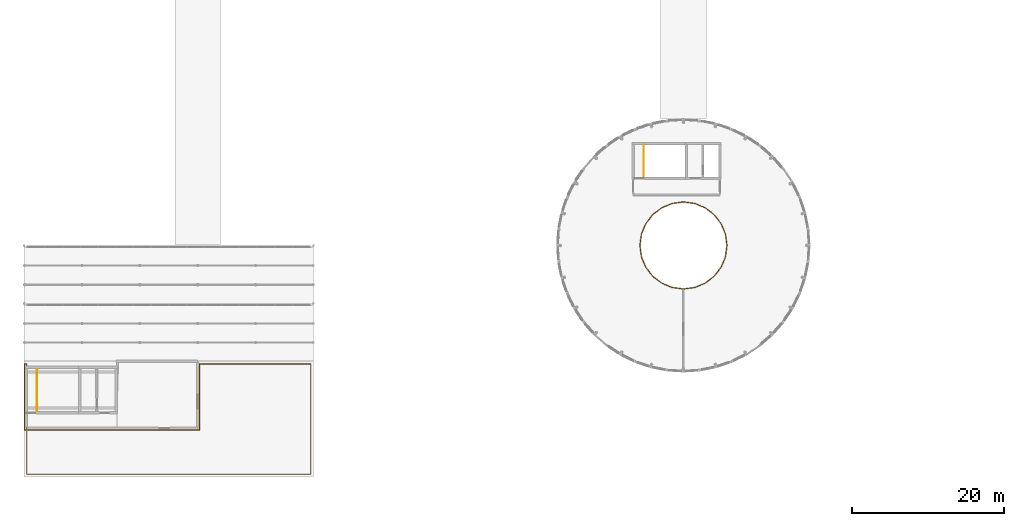
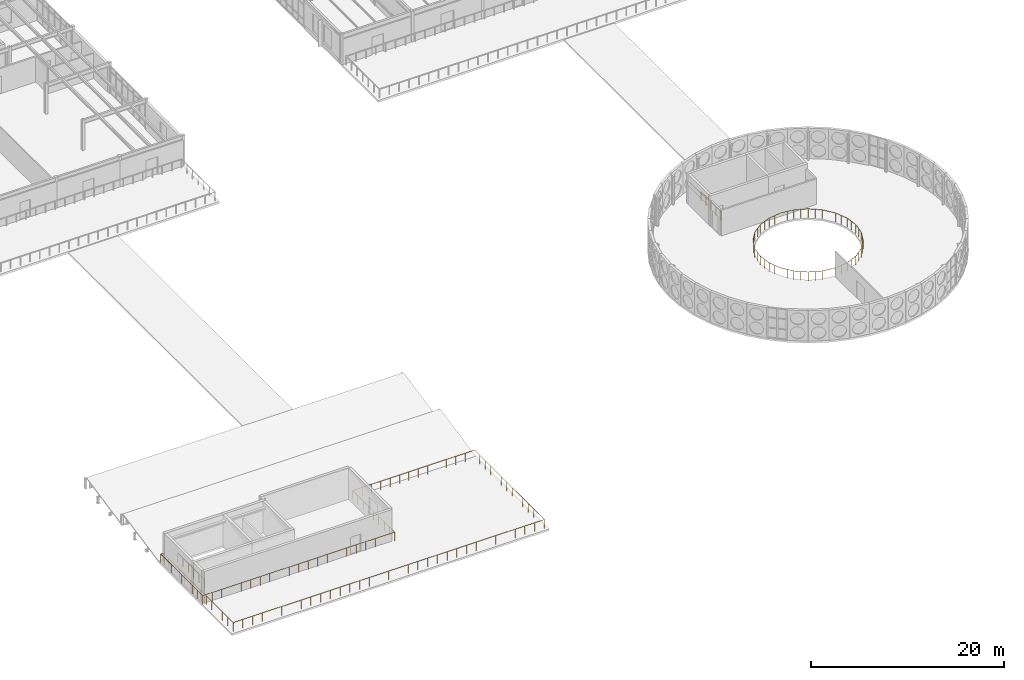
# One storey, part 103 of 114: 4 railings.
"""IFC4 building model written with IfcOpenShell, lengths in metres."""

from ifc_helpers import new_model, si_unit, direction, frame, origin, origin_2d, place, context, subcontext, project, spatial, circle, extrude, material, type_object, element, save


model = new_model("IFC4")

# Units and contexts
model_context = context("Model", 3, precision=1e-05, world=origin(), true_north=direction((0.0, 1.0)))
body_context = subcontext(model_context, "Body", "Model", "MODEL_VIEW")
ifc_project = project(units=[si_unit("LENGTHUNIT", "METRE"), si_unit("AREAUNIT", "SQUARE_METRE"), si_unit("VOLUMEUNIT", "CUBIC_METRE"), si_unit("PLANEANGLEUNIT", "RADIAN"), si_unit("MASSUNIT", "GRAM", prefix="KILO")], contexts=[model_context])

# Site, building, storey
site_placement = place(None, origin())
site = spatial("IfcSite", under=ifc_project, at=site_placement, CompositionType="ELEMENT")
building_placement = place(site_placement, origin())
building = spatial("IfcBuilding", under=site, at=building_placement, Name="Montecoro Central Library", CompositionType="ELEMENT")
storey_placement = place(building_placement, frame((0.0, 0.0, 13.260009765625)))
storey = spatial("IfcBuildingStorey", under=building, at=storey_placement, Name="L03", CompositionType="ELEMENT", Elevation=13.260009765625)

# Railings
ifc_material_1 = material(Name="Architectural bronze and laminated safety balustrade", Category="aluminium")
railing_type_1 = type_object("IfcRailingType", Name="GRD-EXT-110", PredefinedType="GUARDRAIL", material=ifc_material_1)
railing_1_placement = place(storey_placement, frame((6.679931640625, 13.64990234375, 0.0)))
element("IfcRailing", 1, at=railing_1_placement, inside=storey, type_object=railing_type_1, Name="V3-L03-HH-GRD", PredefinedType="GUARDRAIL", context=body_context, shape_type="SweptSolid", body=[
    extrude(circle(Radius=0.02392578125, at=origin_2d()), frame((0.0, 0.0, 1.09619140625), z_axis=(0.0, 1.0, 0.0), x_axis=(-1.0, 0.0, 0.0)), (0.0, 0.0, 1.0), 5.5),
    extrude(circle(Radius=0.02099609375, at=origin_2d()), origin(), (0.0, 0.0, 1.0), 1.072021484375),
    extrude(circle(Radius=0.02099609375, at=origin_2d()), frame((0.0, 1.10009765625, 0.0)), (0.0, 0.0, 1.0), 1.072021484375),
    extrude(circle(Radius=0.02099609375, at=origin_2d()), frame((0.0, 2.199951171875, 0.0)), (0.0, 0.0, 1.0), 1.072021484375),
    extrude(circle(Radius=0.02099609375, at=origin_2d()), frame((0.0, 3.300048828125, 0.0)), (0.0, 0.0, 1.0), 1.072021484375),
    extrude(circle(Radius=0.02099609375, at=origin_2d()), frame((0.0, 4.39990234375, 0.0)), (0.0, 0.0, 1.0), 1.072021484375),
    extrude(circle(Radius=0.02099609375, at=origin_2d()), frame((0.0, 5.5, 0.0)), (0.0, 0.0, 1.0), 1.072021484375),
])
railing_2_placement = place(storey_placement, frame((5.35009765625, 5.35009765625, 0.0)))
element("IfcRailing", 2, at=railing_2_placement, inside=storey, type_object=railing_type_1, Name="V3-L03-TGRD-1", PredefinedType="GUARDRAIL", context=body_context, shape_type="SweptSolid", body=[
    extrude(circle(Radius=0.02392578125, at=origin_2d()), frame((0.0, 0.0, 1.09619140625), z_axis=(1.0, 0.0, 0.0), x_axis=(0.0, 1.0, 0.0)), (0.0, 0.0, 1.0), 37.2998046875),
    extrude(circle(Radius=0.02392578125, at=origin_2d()), frame((37.2998046875, 0.0, 1.09619140625), z_axis=(0.0, 1.0, 0.0), x_axis=(-1.0, 0.0, 0.0)), (0.0, 0.0, 1.0), 14.5),
    extrude(circle(Radius=0.02392578125, at=origin_2d()), frame((37.2998046875, 14.5, 1.09619140625), z_axis=(-1.0, 0.0, 0.0), x_axis=(0.0, -1.0, 0.0)), (0.0, 0.0, 1.0), 14.599853515625),
    extrude(circle(Radius=0.02392578125, at=origin_2d()), frame((22.699951171875, 14.5, 1.09619140625), z_axis=(0.0, -1.0, 0.0), x_axis=(1.0, 0.0, 0.0)), (0.0, 0.0, 1.0), 8.7001953125),
    extrude(circle(Radius=0.02392578125, at=origin_2d()), frame((22.699951171875, 5.7998046875, 1.09619140625), z_axis=(-1.0, 0.0, 0.0), x_axis=(0.0, -1.0, 0.0)), (0.0, 0.0, 1.0), 23.0),
    extrude(circle(Radius=0.02392578125, at=origin_2d()), frame((-0.300048828125, 5.7998046875, 1.09619140625), z_axis=(0.0, 1.0, 0.0), x_axis=(-1.0, 0.0, 0.0)), (0.0, 0.0, 1.0), 8.7001953125),
    extrude(circle(Radius=0.02392578125, at=origin_2d()), frame((-0.300048828125, 14.5, 1.09619140625), z_axis=(1.0, 0.0, 0.0), x_axis=(0.0, 1.0, 0.0)), (0.0, 0.0, 1.0), 0.300048828125),
    extrude(circle(Radius=0.02392578125, at=origin_2d()), frame((0.0, 14.5, 1.09619140625), z_axis=(0.0, -1.0, 0.0), x_axis=(1.0, 0.0, 0.0)), (0.0, 0.0, 1.0), 14.5),
    extrude(circle(Radius=0.02099609375, at=origin_2d()), origin(), (0.0, 0.0, 1.0), 1.072021484375),
    extrude(circle(Radius=0.02099609375, at=origin_2d()), frame((1.16552734375, 0.0, 0.0)), (0.0, 0.0, 1.0), 1.072021484375),
    extrude(circle(Radius=0.02099609375, at=origin_2d()), frame((2.331298828125, 0.0, 0.0)), (0.0, 0.0, 1.0), 1.072021484375),
    extrude(circle(Radius=0.02099609375, at=origin_2d()), frame((3.496826171875, 0.0, 0.0)), (0.0, 0.0, 1.0), 1.072021484375),
    extrude(circle(Radius=0.02099609375, at=origin_2d()), frame((4.66259765625, 0.0, 0.0)), (0.0, 0.0, 1.0), 1.072021484375),
    extrude(circle(Radius=0.02099609375, at=origin_2d()), frame((5.828125, 0.0, 0.0)), (0.0, 0.0, 1.0), 1.072021484375),
    extrude(circle(Radius=0.02099609375, at=origin_2d()), frame((6.99365234375, 0.0, 0.0)), (0.0, 0.0, 1.0), 1.072021484375),
    extrude(circle(Radius=0.02099609375, at=origin_2d()), frame((8.159423828125, 0.0, 0.0)), (0.0, 0.0, 1.0), 1.072021484375),
    extrude(circle(Radius=0.02099609375, at=origin_2d()), frame((9.324951171875, 0.0, 0.0)), (0.0, 0.0, 1.0), 1.072021484375),
    extrude(circle(Radius=0.02099609375, at=origin_2d()), frame((10.490478515625, 0.0, 0.0)), (0.0, 0.0, 1.0), 1.072021484375),
    extrude(circle(Radius=0.02099609375, at=origin_2d()), frame((11.65625, 0.0, 0.0)), (0.0, 0.0, 1.0), 1.072021484375),
    extrude(circle(Radius=0.02099609375, at=origin_2d()), frame((12.82177734375, 0.0, 0.0)), (0.0, 0.0, 1.0), 1.072021484375),
    extrude(circle(Radius=0.02099609375, at=origin_2d()), frame((13.9873046875, 0.0, 0.0)), (0.0, 0.0, 1.0), 1.072021484375),
    extrude(circle(Radius=0.02099609375, at=origin_2d()), frame((15.153076171875, 0.0, 0.0)), (0.0, 0.0, 1.0), 1.072021484375),
    extrude(circle(Radius=0.02099609375, at=origin_2d()), frame((16.318603515625, 0.0, 0.0)), (0.0, 0.0, 1.0), 1.072021484375),
    extrude(circle(Radius=0.02099609375, at=origin_2d()), frame((17.484375, 0.0, 0.0)), (0.0, 0.0, 1.0), 1.072021484375),
    extrude(circle(Radius=0.02099609375, at=origin_2d()), frame((18.64990234375, 0.0, 0.0)), (0.0, 0.0, 1.0), 1.072021484375),
    extrude(circle(Radius=0.02099609375, at=origin_2d()), frame((19.8154296875, 0.0, 0.0)), (0.0, 0.0, 1.0), 1.072021484375),
    extrude(circle(Radius=0.02099609375, at=origin_2d()), frame((20.981201171875, 0.0, 0.0)), (0.0, 0.0, 1.0), 1.072021484375),
    extrude(circle(Radius=0.02099609375, at=origin_2d()), frame((22.146728515625, 0.0, 0.0)), (0.0, 0.0, 1.0), 1.072021484375),
    extrude(circle(Radius=0.02099609375, at=origin_2d()), frame((23.3125, 0.0, 0.0)), (0.0, 0.0, 1.0), 1.072021484375),
    extrude(circle(Radius=0.02099609375, at=origin_2d()), frame((24.47802734375, 0.0, 0.0)), (0.0, 0.0, 1.0), 1.072021484375),
    extrude(circle(Radius=0.02099609375, at=origin_2d()), frame((25.6435546875, 0.0, 0.0)), (0.0, 0.0, 1.0), 1.072021484375),
    extrude(circle(Radius=0.02099609375, at=origin_2d()), frame((26.809326171875, 0.0, 0.0)), (0.0, 0.0, 1.0), 1.072021484375),
    extrude(circle(Radius=0.02099609375, at=origin_2d()), frame((27.974853515625, 0.0, 0.0)), (0.0, 0.0, 1.0), 1.072021484375),
    extrude(circle(Radius=0.02099609375, at=origin_2d()), frame((29.140380859375, 0.0, 0.0)), (0.0, 0.0, 1.0), 1.072021484375),
    extrude(circle(Radius=0.02099609375, at=origin_2d()), frame((30.30615234375, 0.0, 0.0)), (0.0, 0.0, 1.0), 1.072021484375),
    extrude(circle(Radius=0.02099609375, at=origin_2d()), frame((31.4716796875, 0.0, 0.0)), (0.0, 0.0, 1.0), 1.072021484375),
    extrude(circle(Radius=0.02099609375, at=origin_2d()), frame((32.63720703125, 0.0, 0.0)), (0.0, 0.0, 1.0), 1.072021484375),
    extrude(circle(Radius=0.02099609375, at=origin_2d()), frame((33.802978515625, 0.0, 0.0)), (0.0, 0.0, 1.0), 1.072021484375),
    extrude(circle(Radius=0.02099609375, at=origin_2d()), frame((34.968505859375, 0.0, 0.0)), (0.0, 0.0, 1.0), 1.072021484375),
    extrude(circle(Radius=0.02099609375, at=origin_2d()), frame((36.13427734375, 0.0, 0.0)), (0.0, 0.0, 1.0), 1.072021484375),
    extrude(circle(Radius=0.02099609375, at=origin_2d()), frame((37.2998046875, 0.0, 0.0)), (0.0, 0.0, 1.0), 1.072021484375),
    extrude(circle(Radius=0.02099609375, at=origin_2d()), frame((37.2998046875, 1.115478515625, 0.0)), (0.0, 0.0, 1.0), 1.072021484375),
    extrude(circle(Radius=0.02099609375, at=origin_2d()), frame((37.2998046875, 2.230712890625, 0.0)), (0.0, 0.0, 1.0), 1.072021484375),
    extrude(circle(Radius=0.02099609375, at=origin_2d()), frame((37.2998046875, 3.34619140625, 0.0)), (0.0, 0.0, 1.0), 1.072021484375),
    extrude(circle(Radius=0.02099609375, at=origin_2d()), frame((37.2998046875, 4.46142578125, 0.0)), (0.0, 0.0, 1.0), 1.072021484375),
    extrude(circle(Radius=0.02099609375, at=origin_2d()), frame((37.2998046875, 5.576904296875, 0.0)), (0.0, 0.0, 1.0), 1.072021484375),
    extrude(circle(Radius=0.02099609375, at=origin_2d()), frame((37.2998046875, 6.6923828125, 0.0)), (0.0, 0.0, 1.0), 1.072021484375),
    extrude(circle(Radius=0.02099609375, at=origin_2d()), frame((37.2998046875, 7.8076171875, 0.0)), (0.0, 0.0, 1.0), 1.072021484375),
    extrude(circle(Radius=0.02099609375, at=origin_2d()), frame((37.2998046875, 8.923095703125, 0.0)), (0.0, 0.0, 1.0), 1.072021484375),
    extrude(circle(Radius=0.02099609375, at=origin_2d()), frame((37.2998046875, 10.03857421875, 0.0)), (0.0, 0.0, 1.0), 1.072021484375),
    extrude(circle(Radius=0.02099609375, at=origin_2d()), frame((37.2998046875, 11.15380859375, 0.0)), (0.0, 0.0, 1.0), 1.072021484375),
    extrude(circle(Radius=0.02099609375, at=origin_2d()), frame((37.2998046875, 12.269287109375, 0.0)), (0.0, 0.0, 1.0), 1.072021484375),
    extrude(circle(Radius=0.02099609375, at=origin_2d()), frame((37.2998046875, 13.384521484375, 0.0)), (0.0, 0.0, 1.0), 1.072021484375),
    extrude(circle(Radius=0.02099609375, at=origin_2d()), frame((37.2998046875, 14.5, 0.0)), (0.0, 0.0, 1.0), 1.072021484375),
    extrude(circle(Radius=0.02099609375, at=origin_2d()), frame((36.1767578125, 14.5, 0.0)), (0.0, 0.0, 1.0), 1.072021484375),
    extrude(circle(Radius=0.02099609375, at=origin_2d()), frame((35.0537109375, 14.5, 0.0)), (0.0, 0.0, 1.0), 1.072021484375),
    extrude(circle(Radius=0.02099609375, at=origin_2d()), frame((33.9306640625, 14.5, 0.0)), (0.0, 0.0, 1.0), 1.072021484375),
    extrude(circle(Radius=0.02099609375, at=origin_2d()), frame((32.8076171875, 14.5, 0.0)), (0.0, 0.0, 1.0), 1.072021484375),
    extrude(circle(Radius=0.02099609375, at=origin_2d()), frame((31.6845703125, 14.5, 0.0)), (0.0, 0.0, 1.0), 1.072021484375),
    extrude(circle(Radius=0.02099609375, at=origin_2d()), frame((30.5615234375, 14.5, 0.0)), (0.0, 0.0, 1.0), 1.072021484375),
    extrude(circle(Radius=0.02099609375, at=origin_2d()), frame((29.438232421875, 14.5, 0.0)), (0.0, 0.0, 1.0), 1.072021484375),
    extrude(circle(Radius=0.02099609375, at=origin_2d()), frame((28.315185546875, 14.5, 0.0)), (0.0, 0.0, 1.0), 1.072021484375),
    extrude(circle(Radius=0.02099609375, at=origin_2d()), frame((27.192138671875, 14.5, 0.0)), (0.0, 0.0, 1.0), 1.072021484375),
    extrude(circle(Radius=0.02099609375, at=origin_2d()), frame((26.069091796875, 14.5, 0.0)), (0.0, 0.0, 1.0), 1.072021484375),
    extrude(circle(Radius=0.02099609375, at=origin_2d()), frame((24.946044921875, 14.5, 0.0)), (0.0, 0.0, 1.0), 1.072021484375),
    extrude(circle(Radius=0.02099609375, at=origin_2d()), frame((23.822998046875, 14.5, 0.0)), (0.0, 0.0, 1.0), 1.072021484375),
    extrude(circle(Radius=0.02099609375, at=origin_2d()), frame((22.699951171875, 14.5, 0.0)), (0.0, 0.0, 1.0), 1.072021484375),
    extrude(circle(Radius=0.02099609375, at=origin_2d()), frame((22.699951171875, 13.41259765625, 0.0)), (0.0, 0.0, 1.0), 1.072021484375),
    extrude(circle(Radius=0.02099609375, at=origin_2d()), frame((22.699951171875, 12.324951171875, 0.0)), (0.0, 0.0, 1.0), 1.072021484375),
    extrude(circle(Radius=0.02099609375, at=origin_2d()), frame((22.699951171875, 11.2373046875, 0.0)), (0.0, 0.0, 1.0), 1.072021484375),
    extrude(circle(Radius=0.02099609375, at=origin_2d()), frame((22.699951171875, 10.14990234375, 0.0)), (0.0, 0.0, 1.0), 1.072021484375),
    extrude(circle(Radius=0.02099609375, at=origin_2d()), frame((22.699951171875, 9.0625, 0.0)), (0.0, 0.0, 1.0), 1.072021484375),
    extrude(circle(Radius=0.02099609375, at=origin_2d()), frame((22.699951171875, 7.974853515625, 0.0)), (0.0, 0.0, 1.0), 1.072021484375),
    extrude(circle(Radius=0.02099609375, at=origin_2d()), frame((22.699951171875, 6.88720703125, 0.0)), (0.0, 0.0, 1.0), 1.072021484375),
    extrude(circle(Radius=0.02099609375, at=origin_2d()), frame((22.699951171875, 5.7998046875, 0.0)), (0.0, 0.0, 1.0), 1.072021484375),
    extrude(circle(Radius=0.02099609375, at=origin_2d()), frame((21.550048828125, 5.7998046875, 0.0)), (0.0, 0.0, 1.0), 1.072021484375),
    extrude(circle(Radius=0.02099609375, at=origin_2d()), frame((20.39990234375, 5.7998046875, 0.0)), (0.0, 0.0, 1.0), 1.072021484375),
    extrude(circle(Radius=0.02099609375, at=origin_2d()), frame((19.25, 5.7998046875, 0.0)), (0.0, 0.0, 1.0), 1.072021484375),
    extrude(circle(Radius=0.02099609375, at=origin_2d()), frame((18.099853515625, 5.7998046875, 0.0)), (0.0, 0.0, 1.0), 1.072021484375),
    extrude(circle(Radius=0.02099609375, at=origin_2d()), frame((16.949951171875, 5.7998046875, 0.0)), (0.0, 0.0, 1.0), 1.072021484375),
    extrude(circle(Radius=0.02099609375, at=origin_2d()), frame((15.800048828125, 5.7998046875, 0.0)), (0.0, 0.0, 1.0), 1.072021484375),
    extrude(circle(Radius=0.02099609375, at=origin_2d()), frame((14.64990234375, 5.7998046875, 0.0)), (0.0, 0.0, 1.0), 1.072021484375),
    extrude(circle(Radius=0.02099609375, at=origin_2d()), frame((13.5, 5.7998046875, 0.0)), (0.0, 0.0, 1.0), 1.072021484375),
    extrude(circle(Radius=0.02099609375, at=origin_2d()), frame((12.349853515625, 5.7998046875, 0.0)), (0.0, 0.0, 1.0), 1.072021484375),
    extrude(circle(Radius=0.02099609375, at=origin_2d()), frame((11.199951171875, 5.7998046875, 0.0)), (0.0, 0.0, 1.0), 1.072021484375),
    extrude(circle(Radius=0.02099609375, at=origin_2d()), frame((10.050048828125, 5.7998046875, 0.0)), (0.0, 0.0, 1.0), 1.072021484375),
    extrude(circle(Radius=0.02099609375, at=origin_2d()), frame((8.89990234375, 5.7998046875, 0.0)), (0.0, 0.0, 1.0), 1.072021484375),
    extrude(circle(Radius=0.02099609375, at=origin_2d()), frame((7.75, 5.7998046875, 0.0)), (0.0, 0.0, 1.0), 1.072021484375),
    extrude(circle(Radius=0.02099609375, at=origin_2d()), frame((6.599853515625, 5.7998046875, 0.0)), (0.0, 0.0, 1.0), 1.072021484375),
    extrude(circle(Radius=0.02099609375, at=origin_2d()), frame((5.449951171875, 5.7998046875, 0.0)), (0.0, 0.0, 1.0), 1.072021484375),
    extrude(circle(Radius=0.02099609375, at=origin_2d()), frame((4.300048828125, 5.7998046875, 0.0)), (0.0, 0.0, 1.0), 1.072021484375),
    extrude(circle(Radius=0.02099609375, at=origin_2d()), frame((3.14990234375, 5.7998046875, 0.0)), (0.0, 0.0, 1.0), 1.072021484375),
    extrude(circle(Radius=0.02099609375, at=origin_2d()), frame((2.0, 5.7998046875, 0.0)), (0.0, 0.0, 1.0), 1.072021484375),
    extrude(circle(Radius=0.02099609375, at=origin_2d()), frame((0.849853515625, 5.7998046875, 0.0)), (0.0, 0.0, 1.0), 1.072021484375),
    extrude(circle(Radius=0.02099609375, at=origin_2d()), frame((-0.300048828125, 5.7998046875, 0.0)), (0.0, 0.0, 1.0), 1.072021484375),
    extrude(circle(Radius=0.02099609375, at=origin_2d()), frame((-0.300048828125, 6.88720703125, 0.0)), (0.0, 0.0, 1.0), 1.072021484375),
    extrude(circle(Radius=0.02099609375, at=origin_2d()), frame((-0.300048828125, 7.974853515625, 0.0)), (0.0, 0.0, 1.0), 1.072021484375),
    extrude(circle(Radius=0.02099609375, at=origin_2d()), frame((-0.300048828125, 9.0625, 0.0)), (0.0, 0.0, 1.0), 1.072021484375),
    extrude(circle(Radius=0.02099609375, at=origin_2d()), frame((-0.300048828125, 10.14990234375, 0.0)), (0.0, 0.0, 1.0), 1.072021484375),
    extrude(circle(Radius=0.02099609375, at=origin_2d()), frame((-0.300048828125, 11.2373046875, 0.0)), (0.0, 0.0, 1.0), 1.072021484375),
    extrude(circle(Radius=0.02099609375, at=origin_2d()), frame((-0.300048828125, 12.324951171875, 0.0)), (0.0, 0.0, 1.0), 1.072021484375),
    extrude(circle(Radius=0.02099609375, at=origin_2d()), frame((-0.300048828125, 13.41259765625, 0.0)), (0.0, 0.0, 1.0), 1.072021484375),
    extrude(circle(Radius=0.02099609375, at=origin_2d()), frame((-0.300048828125, 14.5, 0.0)), (0.0, 0.0, 1.0), 1.072021484375),
    extrude(circle(Radius=0.02099609375, at=origin_2d()), frame((0.0, 14.5, 0.0)), (0.0, 0.0, 1.0), 1.072021484375),
    extrude(circle(Radius=0.02099609375, at=origin_2d()), frame((0.0, 13.384521484375, 0.0)), (0.0, 0.0, 1.0), 1.072021484375),
    extrude(circle(Radius=0.02099609375, at=origin_2d()), frame((0.0, 12.269287109375, 0.0)), (0.0, 0.0, 1.0), 1.072021484375),
    extrude(circle(Radius=0.02099609375, at=origin_2d()), frame((0.0, 11.15380859375, 0.0)), (0.0, 0.0, 1.0), 1.072021484375),
    extrude(circle(Radius=0.02099609375, at=origin_2d()), frame((0.0, 10.03857421875, 0.0)), (0.0, 0.0, 1.0), 1.072021484375),
    extrude(circle(Radius=0.02099609375, at=origin_2d()), frame((0.0, 8.923095703125, 0.0)), (0.0, 0.0, 1.0), 1.072021484375),
    extrude(circle(Radius=0.02099609375, at=origin_2d()), frame((0.0, 7.8076171875, 0.0)), (0.0, 0.0, 1.0), 1.072021484375),
    extrude(circle(Radius=0.02099609375, at=origin_2d()), frame((0.0, 6.6923828125, 0.0)), (0.0, 0.0, 1.0), 1.072021484375),
    extrude(circle(Radius=0.02099609375, at=origin_2d()), frame((0.0, 5.576904296875, 0.0)), (0.0, 0.0, 1.0), 1.072021484375),
    extrude(circle(Radius=0.02099609375, at=origin_2d()), frame((0.0, 4.46142578125, 0.0)), (0.0, 0.0, 1.0), 1.072021484375),
    extrude(circle(Radius=0.02099609375, at=origin_2d()), frame((0.0, 3.34619140625, 0.0)), (0.0, 0.0, 1.0), 1.072021484375),
    extrude(circle(Radius=0.02099609375, at=origin_2d()), frame((0.0, 2.230712890625, 0.0)), (0.0, 0.0, 1.0), 1.072021484375),
    extrude(circle(Radius=0.02099609375, at=origin_2d()), frame((0.0, 1.115478515625, 0.0)), (0.0, 0.0, 1.0), 1.072021484375),
])
ifc_material_2 = material(Name="Brushed stainless steel and bronze balustrade", Category="steel")
railing_type_2 = type_object("IfcRailingType", Name="GRD-INT-110", PredefinedType="GUARDRAIL", material=ifc_material_2)
railing_3_placement = place(storey_placement, frame((86.3798828125, 44.419921875, 0.0)))
element("IfcRailing", 3, at=railing_3_placement, inside=storey, type_object=railing_type_2, Name="C1-L03-ELND-GRD", PredefinedType="GUARDRAIL", context=body_context, shape_type="SweptSolid", body=[
    extrude(circle(Radius=0.02392578125, at=origin_2d()), frame((0.0, 0.0, 1.09619140625), z_axis=(0.0, 1.0, 0.0), x_axis=(-1.0, 0.0, 0.0)), (0.0, 0.0, 1.0), 4.16015625),
    extrude(circle(Radius=0.02099609375, at=origin_2d()), origin(), (0.0, 0.0, 1.0), 1.072021484375),
    extrude(circle(Radius=0.02099609375, at=origin_2d()), frame((0.0, 1.0400390625, 0.0)), (0.0, 0.0, 1.0), 1.072021484375),
    extrude(circle(Radius=0.02099609375, at=origin_2d()), frame((0.0, 2.080078125, 0.0)), (0.0, 0.0, 1.0), 1.072021484375),
    extrude(circle(Radius=0.02099609375, at=origin_2d()), frame((0.0, 3.1201171875, 0.0)), (0.0, 0.0, 1.0), 1.072021484375),
    extrude(circle(Radius=0.02099609375, at=origin_2d()), frame((0.0, 4.16015625, 0.0)), (0.0, 0.0, 1.0), 1.072021484375),
])
railing_4_placement = place(storey_placement, frame((97.320068359375, 35.39990234375, 0.0)))
element("IfcRailing", 4, at=railing_4_placement, inside=storey, type_object=railing_type_2, Name="V1-L03-WELL-GRD", PredefinedType="GUARDRAIL", context=body_context, shape_type="SweptSolid", body=[
    extrude(circle(Radius=0.02392578125, at=origin_2d()), frame((0.0, 0.0, 1.09619140625), z_axis=(-0.130674502542, 0.991425324664, 0.0), x_axis=(-0.991425324664, -0.130674502542, 0.0)), (0.0, 0.0, 1.0), 1.49267578125),
    extrude(circle(Radius=0.02392578125, at=origin_2d()), frame((-0.195068359375, 1.47998046875, 1.09619140625), z_axis=(-0.382327730285, 0.924026788927, 0.0), x_axis=(-0.924026788927, -0.382327730285, 0.0)), (0.0, 0.0, 1.0), 1.49365234375),
    extrude(circle(Radius=0.02392578125, at=origin_2d()), frame((-0.76611328125, 2.860107421875, 1.09619140625), z_axis=(-0.608596258201, 0.793480052997, 0.0), x_axis=(-0.793480052997, -0.608596258201, 0.0)), (0.0, 0.0, 1.0), 1.493408203125),
    extrude(circle(Radius=0.02392578125, at=origin_2d()), frame((-1.675048828125, 4.045166015625, 1.09619140625), z_axis=(-0.793480052997, 0.608596258201, 0.0), x_axis=(-0.608596258201, -0.793480052997, 0.0)), (0.0, 0.0, 1.0), 1.493408203125),
    extrude(circle(Radius=0.02392578125, at=origin_2d()), frame((-2.860107421875, 4.9541015625, 1.09619140625), z_axis=(-0.924002890156, 0.382385484797, 0.0), x_axis=(-0.382385484797, -0.924002890156, 0.0)), (0.0, 0.0, 1.0), 1.493408203125),
    extrude(circle(Radius=0.02392578125, at=origin_2d()), frame((-4.239990234375, 5.525146484375, 1.09619140625), z_axis=(-0.991425324664, 0.130674502542, 0.0), x_axis=(-0.130674502542, -0.991425324664, 0.0)), (0.0, 0.0, 1.0), 1.49267578125),
    extrude(circle(Radius=0.02392578125, at=origin_2d()), frame((-5.719970703125, 5.72021484375, 1.09619140625), z_axis=(-0.991425324664, -0.130674502542, 0.0), x_axis=(0.130674502542, -0.991425324664, 0.0)), (0.0, 0.0, 1.0), 1.49267578125),
    extrude(circle(Radius=0.02392578125, at=origin_2d()), frame((-7.199951171875, 5.525146484375, 1.09619140625), z_axis=(-0.924026788927, -0.382327730285, 0.0), x_axis=(0.382327730285, -0.924026788927, 0.0)), (0.0, 0.0, 1.0), 1.49365234375),
    extrude(circle(Radius=0.02392578125, at=origin_2d()), frame((-8.580078125, 4.9541015625, 1.09619140625), z_axis=(-0.793480052997, -0.608596258201, 0.0), x_axis=(0.608596258201, -0.793480052997, 0.0)), (0.0, 0.0, 1.0), 1.493408203125),
    extrude(circle(Radius=0.02392578125, at=origin_2d()), frame((-9.76513671875, 4.045166015625, 1.09619140625), z_axis=(-0.608596258201, -0.793480052997, 0.0), x_axis=(0.793480052997, -0.608596258201, 0.0)), (0.0, 0.0, 1.0), 1.493408203125),
    extrude(circle(Radius=0.02392578125, at=origin_2d()), frame((-10.674072265625, 2.860107421875, 1.09619140625), z_axis=(-0.382327730285, -0.924026788927, 0.0), x_axis=(0.924026788927, -0.382327730285, 0.0)), (0.0, 0.0, 1.0), 1.49365234375),
    extrude(circle(Radius=0.02392578125, at=origin_2d()), frame((-11.2451171875, 1.47998046875, 1.09619140625), z_axis=(-0.130674502542, -0.991425324664, 0.0), x_axis=(0.991425324664, -0.130674502542, 0.0)), (0.0, 0.0, 1.0), 1.49267578125),
    extrude(circle(Radius=0.02392578125, at=origin_2d()), frame((-11.440185546875, 0.0, 1.09619140625), z_axis=(0.130674502542, -0.991425324664, 0.0), x_axis=(0.991425324664, 0.130674502542, 0.0)), (0.0, 0.0, 1.0), 1.49267578125),
    extrude(circle(Radius=0.02392578125, at=origin_2d()), frame((-11.2451171875, -1.47998046875, 1.09619140625), z_axis=(0.382385484797, -0.924002890156, 0.0), x_axis=(0.924002890156, 0.382385484797, 0.0)), (0.0, 0.0, 1.0), 1.493408203125),
    extrude(circle(Radius=0.02392578125, at=origin_2d()), frame((-10.674072265625, -2.85986328125, 1.09619140625), z_axis=(0.608596258201, -0.793480052997, 0.0), x_axis=(0.793480052997, 0.608596258201, 0.0)), (0.0, 0.0, 1.0), 1.493408203125),
    extrude(circle(Radius=0.02392578125, at=origin_2d()), frame((-9.76513671875, -4.044921875, 1.09619140625), z_axis=(0.793480052997, -0.608596258201, 0.0), x_axis=(0.608596258201, 0.793480052997, 0.0)), (0.0, 0.0, 1.0), 1.493408203125),
    extrude(circle(Radius=0.02392578125, at=origin_2d()), frame((-8.580078125, -4.953857421875, 1.09619140625), z_axis=(0.924026788927, -0.382327730285, 0.0), x_axis=(0.382327730285, 0.924026788927, 0.0)), (0.0, 0.0, 1.0), 1.49365234375),
    extrude(circle(Radius=0.02392578125, at=origin_2d()), frame((-7.199951171875, -5.52490234375, 1.09619140625), z_axis=(0.991425324664, -0.130674502542, 0.0), x_axis=(0.130674502542, 0.991425324664, 0.0)), (0.0, 0.0, 1.0), 1.49267578125),
    extrude(circle(Radius=0.02392578125, at=origin_2d()), frame((-5.719970703125, -5.719970703125, 1.09619140625), z_axis=(0.991425324664, 0.130674502542, 0.0), x_axis=(-0.130674502542, 0.991425324664, 0.0)), (0.0, 0.0, 1.0), 1.49267578125),
    extrude(circle(Radius=0.02392578125, at=origin_2d()), frame((-4.239990234375, -5.52490234375, 1.09619140625), z_axis=(0.924002890156, 0.382385484797, 0.0), x_axis=(-0.382385484797, 0.924002890156, 0.0)), (0.0, 0.0, 1.0), 1.493408203125),
    extrude(circle(Radius=0.02392578125, at=origin_2d()), frame((-2.860107421875, -4.953857421875, 1.09619140625), z_axis=(0.793480052997, 0.608596258201, 0.0), x_axis=(-0.608596258201, 0.793480052997, 0.0)), (0.0, 0.0, 1.0), 1.493408203125),
    extrude(circle(Radius=0.02392578125, at=origin_2d()), frame((-1.675048828125, -4.044921875, 1.09619140625), z_axis=(0.608596258201, 0.793480052997, 0.0), x_axis=(-0.793480052997, 0.608596258201, 0.0)), (0.0, 0.0, 1.0), 1.493408203125),
    extrude(circle(Radius=0.02392578125, at=origin_2d()), frame((-0.76611328125, -2.85986328125, 1.09619140625), z_axis=(0.382385484797, 0.924002890156, 0.0), x_axis=(-0.924002890156, 0.382385484797, 0.0)), (0.0, 0.0, 1.0), 1.493408203125),
    extrude(circle(Radius=0.02392578125, at=origin_2d()), frame((-0.195068359375, -1.47998046875, 1.09619140625), z_axis=(0.130674502542, 0.991425324664, 0.0), x_axis=(-0.991425324664, 0.130674502542, 0.0)), (0.0, 0.0, 1.0), 1.49267578125),
    extrude(circle(Radius=0.02099609375, at=origin_2d()), origin(), (0.0, 0.0, 1.0), 1.072021484375),
    extrude(circle(Radius=0.02099609375, at=origin_2d()), frame((-0.09765625, 0.739990234375, 0.0)), (0.0, 0.0, 1.0), 1.072021484375),
    extrude(circle(Radius=0.02099609375, at=origin_2d()), frame((-0.195068359375, 1.47998046875, 0.0)), (0.0, 0.0, 1.0), 1.072021484375),
    extrude(circle(Radius=0.02099609375, at=origin_2d()), frame((-0.48046875, 2.169921875, 0.0)), (0.0, 0.0, 1.0), 1.072021484375),
    extrude(circle(Radius=0.02099609375, at=origin_2d()), frame((-0.76611328125, 2.860107421875, 0.0)), (0.0, 0.0, 1.0), 1.072021484375),
    extrude(circle(Radius=0.02099609375, at=origin_2d()), frame((-1.220703125, 3.45263671875, 0.0)), (0.0, 0.0, 1.0), 1.072021484375),
    extrude(circle(Radius=0.02099609375, at=origin_2d()), frame((-1.675048828125, 4.045166015625, 0.0)), (0.0, 0.0, 1.0), 1.072021484375),
    extrude(circle(Radius=0.02099609375, at=origin_2d()), frame((-2.267578125, 4.49951171875, 0.0)), (0.0, 0.0, 1.0), 1.072021484375),
    extrude(circle(Radius=0.02099609375, at=origin_2d()), frame((-2.860107421875, 4.9541015625, 0.0)), (0.0, 0.0, 1.0), 1.072021484375),
    extrude(circle(Radius=0.02099609375, at=origin_2d()), frame((-3.550048828125, 5.23974609375, 0.0)), (0.0, 0.0, 1.0), 1.072021484375),
    extrude(circle(Radius=0.02099609375, at=origin_2d()), frame((-4.239990234375, 5.525146484375, 0.0)), (0.0, 0.0, 1.0), 1.072021484375),
    extrude(circle(Radius=0.02099609375, at=origin_2d()), frame((-4.97998046875, 5.62255859375, 0.0)), (0.0, 0.0, 1.0), 1.072021484375),
    extrude(circle(Radius=0.02099609375, at=origin_2d()), frame((-5.719970703125, 5.72021484375, 0.0)), (0.0, 0.0, 1.0), 1.072021484375),
    extrude(circle(Radius=0.02099609375, at=origin_2d()), frame((-6.4599609375, 5.62255859375, 0.0)), (0.0, 0.0, 1.0), 1.072021484375),
    extrude(circle(Radius=0.02099609375, at=origin_2d()), frame((-7.199951171875, 5.525146484375, 0.0)), (0.0, 0.0, 1.0), 1.072021484375),
    extrude(circle(Radius=0.02099609375, at=origin_2d()), frame((-7.89013671875, 5.23974609375, 0.0)), (0.0, 0.0, 1.0), 1.072021484375),
    extrude(circle(Radius=0.02099609375, at=origin_2d()), frame((-8.580078125, 4.9541015625, 0.0)), (0.0, 0.0, 1.0), 1.072021484375),
    extrude(circle(Radius=0.02099609375, at=origin_2d()), frame((-9.172607421875, 4.49951171875, 0.0)), (0.0, 0.0, 1.0), 1.072021484375),
    extrude(circle(Radius=0.02099609375, at=origin_2d()), frame((-9.76513671875, 4.045166015625, 0.0)), (0.0, 0.0, 1.0), 1.072021484375),
    extrude(circle(Radius=0.02099609375, at=origin_2d()), frame((-10.2197265625, 3.45263671875, 0.0)), (0.0, 0.0, 1.0), 1.072021484375),
    extrude(circle(Radius=0.02099609375, at=origin_2d()), frame((-10.674072265625, 2.860107421875, 0.0)), (0.0, 0.0, 1.0), 1.072021484375),
    extrude(circle(Radius=0.02099609375, at=origin_2d()), frame((-10.95947265625, 2.169921875, 0.0)), (0.0, 0.0, 1.0), 1.072021484375),
    extrude(circle(Radius=0.02099609375, at=origin_2d()), frame((-11.2451171875, 1.47998046875, 0.0)), (0.0, 0.0, 1.0), 1.072021484375),
    extrude(circle(Radius=0.02099609375, at=origin_2d()), frame((-11.3427734375, 0.739990234375, 0.0)), (0.0, 0.0, 1.0), 1.072021484375),
    extrude(circle(Radius=0.02099609375, at=origin_2d()), frame((-11.440185546875, 0.0, 0.0)), (0.0, 0.0, 1.0), 1.072021484375),
    extrude(circle(Radius=0.02099609375, at=origin_2d()), frame((-11.3427734375, -0.739990234375, 0.0)), (0.0, 0.0, 1.0), 1.072021484375),
    extrude(circle(Radius=0.02099609375, at=origin_2d()), frame((-11.2451171875, -1.47998046875, 0.0)), (0.0, 0.0, 1.0), 1.072021484375),
    extrude(circle(Radius=0.02099609375, at=origin_2d()), frame((-10.95947265625, -2.169921875, 0.0)), (0.0, 0.0, 1.0), 1.072021484375),
    extrude(circle(Radius=0.02099609375, at=origin_2d()), frame((-10.674072265625, -2.85986328125, 0.0)), (0.0, 0.0, 1.0), 1.072021484375),
    extrude(circle(Radius=0.02099609375, at=origin_2d()), frame((-10.2197265625, -3.452392578125, 0.0)), (0.0, 0.0, 1.0), 1.072021484375),
    extrude(circle(Radius=0.02099609375, at=origin_2d()), frame((-9.76513671875, -4.044921875, 0.0)), (0.0, 0.0, 1.0), 1.072021484375),
    extrude(circle(Radius=0.02099609375, at=origin_2d()), frame((-9.172607421875, -4.49951171875, 0.0)), (0.0, 0.0, 1.0), 1.072021484375),
    extrude(circle(Radius=0.02099609375, at=origin_2d()), frame((-8.580078125, -4.953857421875, 0.0)), (0.0, 0.0, 1.0), 1.072021484375),
    extrude(circle(Radius=0.02099609375, at=origin_2d()), frame((-7.89013671875, -5.2392578125, 0.0)), (0.0, 0.0, 1.0), 1.072021484375),
    extrude(circle(Radius=0.02099609375, at=origin_2d()), frame((-7.199951171875, -5.52490234375, 0.0)), (0.0, 0.0, 1.0), 1.072021484375),
    extrude(circle(Radius=0.02099609375, at=origin_2d()), frame((-6.4599609375, -5.62255859375, 0.0)), (0.0, 0.0, 1.0), 1.072021484375),
    extrude(circle(Radius=0.02099609375, at=origin_2d()), frame((-5.719970703125, -5.719970703125, 0.0)), (0.0, 0.0, 1.0), 1.072021484375),
    extrude(circle(Radius=0.02099609375, at=origin_2d()), frame((-4.97998046875, -5.62255859375, 0.0)), (0.0, 0.0, 1.0), 1.072021484375),
    extrude(circle(Radius=0.02099609375, at=origin_2d()), frame((-4.239990234375, -5.52490234375, 0.0)), (0.0, 0.0, 1.0), 1.072021484375),
    extrude(circle(Radius=0.02099609375, at=origin_2d()), frame((-3.550048828125, -5.2392578125, 0.0)), (0.0, 0.0, 1.0), 1.072021484375),
    extrude(circle(Radius=0.02099609375, at=origin_2d()), frame((-2.860107421875, -4.953857421875, 0.0)), (0.0, 0.0, 1.0), 1.072021484375),
    extrude(circle(Radius=0.02099609375, at=origin_2d()), frame((-2.267578125, -4.49951171875, 0.0)), (0.0, 0.0, 1.0), 1.072021484375),
    extrude(circle(Radius=0.02099609375, at=origin_2d()), frame((-1.675048828125, -4.044921875, 0.0)), (0.0, 0.0, 1.0), 1.072021484375),
    extrude(circle(Radius=0.02099609375, at=origin_2d()), frame((-1.220703125, -3.452392578125, 0.0)), (0.0, 0.0, 1.0), 1.072021484375),
    extrude(circle(Radius=0.02099609375, at=origin_2d()), frame((-0.76611328125, -2.85986328125, 0.0)), (0.0, 0.0, 1.0), 1.072021484375),
    extrude(circle(Radius=0.02099609375, at=origin_2d()), frame((-0.48046875, -2.169921875, 0.0)), (0.0, 0.0, 1.0), 1.072021484375),
    extrude(circle(Radius=0.02099609375, at=origin_2d()), frame((-0.195068359375, -1.47998046875, 0.0)), (0.0, 0.0, 1.0), 1.072021484375),
    extrude(circle(Radius=0.02099609375, at=origin_2d()), frame((-0.09765625, -0.739990234375, 0.0)), (0.0, 0.0, 1.0), 1.072021484375),
])

save(model, "model.ifc")
